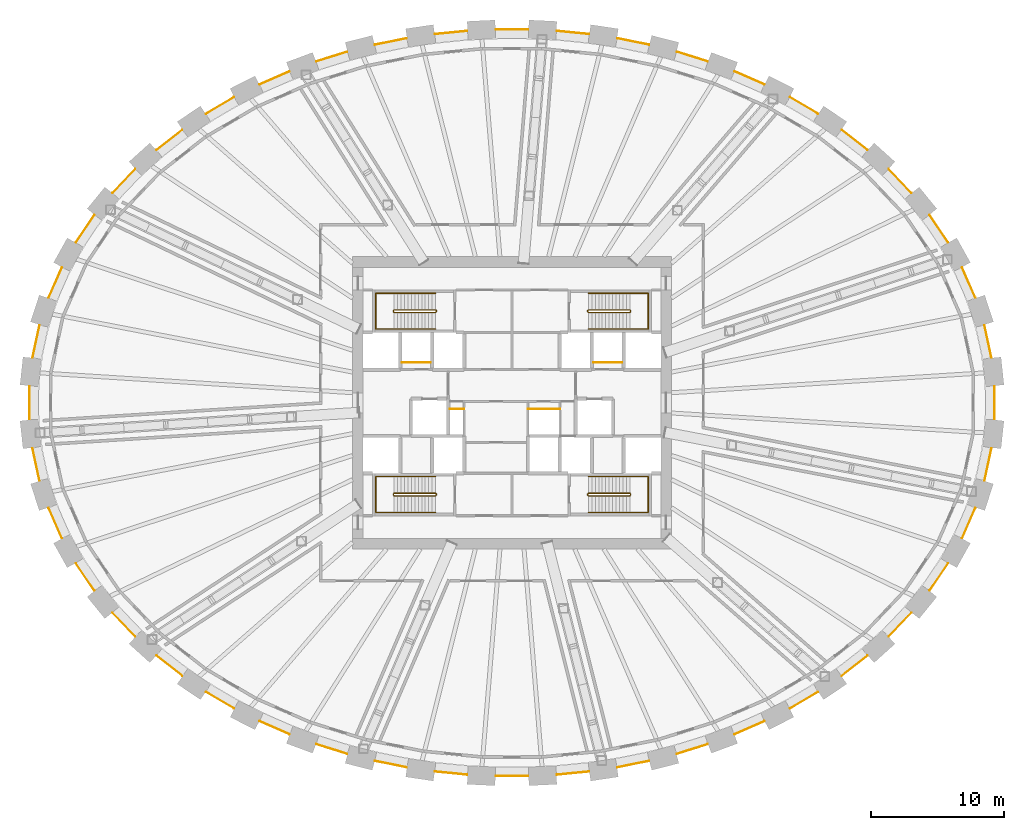
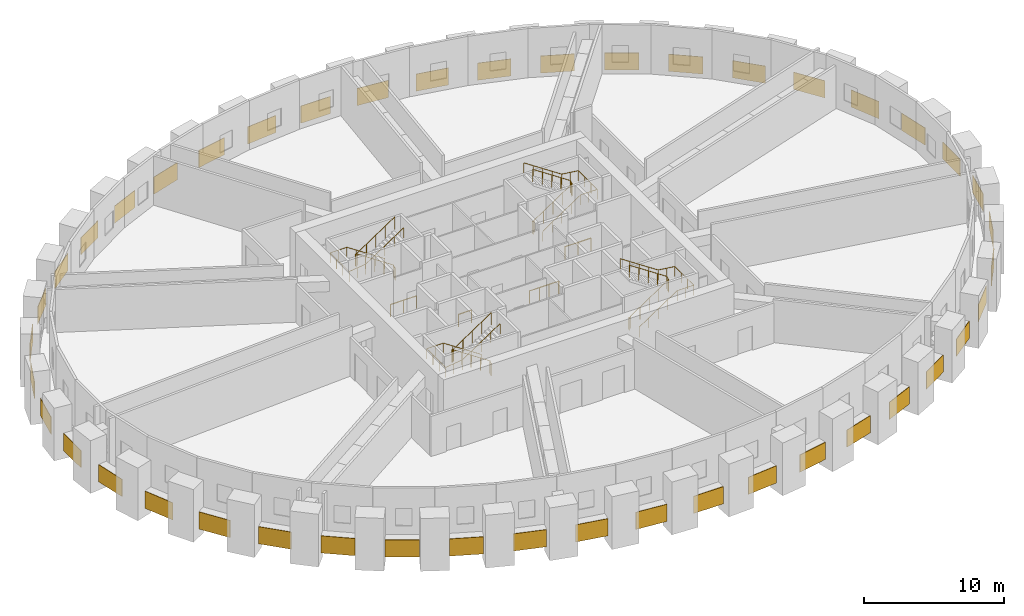
# One storey, part 13 of 13: 44 coverings, 12 railings.
"""IFC4 building model written with IfcOpenShell, lengths in metres."""

from ifc_helpers import new_model, si_unit, direction, frame, origin, origin_2d, place, context, subcontext, project, spatial, rectangle, circle, extrude, source, transform, mapped, material, layer, layer_set, type_object, element, save


model = new_model("IFC4")

# Units and contexts
model_context = context("Model", 3, precision=1e-05, world=origin(), true_north=direction((0.0, 1.0)))
body_context = subcontext(model_context, "Body", "Model", "MODEL_VIEW")
ifc_project = project(units=[si_unit("LENGTHUNIT", "METRE"), si_unit("AREAUNIT", "SQUARE_METRE"), si_unit("VOLUMEUNIT", "CUBIC_METRE"), si_unit("PLANEANGLEUNIT", "RADIAN"), si_unit("MASSUNIT", "GRAM", prefix="KILO")], contexts=[model_context])

# Site, building, storey
site_placement = place(None, origin())
site = spatial("IfcSite", under=ifc_project, at=site_placement, CompositionType="ELEMENT")
building_placement = place(site_placement, origin())
building = spatial("IfcBuilding", under=site, at=building_placement, Name="Embergate Tower", CompositionType="ELEMENT")
storey_placement = place(building_placement, frame((0.0, 0.0, 195.0)))
storey = spatial("IfcBuildingStorey", under=building, at=storey_placement, Name="L44", CompositionType="ELEMENT", Elevation=195.0)

# Coverings
ifc_material_1 = material(Name="Terracotta rainscreen on insulated backing", Category="masonry")
ifc_layer = layer(ifc_material_1, 0.0400390625)
ifc_layer_set = layer_set([ifc_layer], Name="Terracotta rainscreen on insulated backing")
covering_type = type_object("IfcCoveringType", Name="Terracotta rainscreen band", PredefinedType="CLADDING", material=ifc_layer_set)
shared_shape_1 = source(origin(), body_context, "Body", "SweptSolid", [
    extrude(rectangle(XDim=2.4873046875, YDim=0.0400390625, at=origin_2d()), origin(), (0.0, 0.0, 1.0), 1.5),
])
for number, where, z_axis, x_axis, name in (
    (1, (34.37353515625, 9.045654296875, -0.75), (0.0, 0.0, 1.0), (-0.40162013373, 0.915806348626, 0.0), "Rainscreen band 2"),
    (2, (-34.37353515625, 9.045654296875, -0.75), (0.0, 0.0, 1.0), (-0.40162013373, -0.915806348626, 0.0), "Rainscreen band 20"),
    (3, (-34.37353515625, -9.045654296875, -0.75), (0.0, 0.0, 1.0), (0.40162013373, -0.915806348626, 0.0), "Rainscreen band 24"),
    (4, (34.37353515625, -9.045654296875, -0.75), (0.0, 0.0, 1.0), (0.40162013373, 0.915806348626, 0.0), "Rainscreen band 42"),
):
    element("IfcCovering", number, at=place(storey_placement, frame(where, z_axis=z_axis, x_axis=x_axis)), inside=storey, type_object=covering_type, Name=name, PredefinedType="CLADDING", context=body_context, shape_type="MappedRepresentation", body=[
        mapped(shared_shape_1, transform((0.0, 0.0, 0.0))),
    ])
shared_shape_2 = source(origin(), body_context, "Body", "SweptSolid", [
    extrude(rectangle(XDim=2.495849609375, YDim=0.0400390625, at=origin_2d()), origin(), (0.0, 0.0, 1.0), 1.5),
])
for number, where, z_axis, x_axis, name in (
    (5, (35.82177734375, 4.628662109375, -0.75), (0.0, 0.0, 1.0), (-0.210350615608, 0.977626011578, 0.0), "Rainscreen band 1"),
    (6, (-35.82177734375, 4.628662109375, -0.75), (0.0, 0.0, 1.0), (-0.210350615608, -0.977626011578, 0.0), "Rainscreen band 21"),
    (7, (-35.82177734375, -4.628662109375, -0.75), (0.0, 0.0, 1.0), (0.210350615608, -0.977626011578, 0.0), "Rainscreen band 23"),
    (8, (35.82177734375, -4.628662109375, -0.75), (0.0, 0.0, 1.0), (0.210350615608, 0.977626011578, 0.0), "Rainscreen band 43"),
):
    element("IfcCovering", number, at=place(storey_placement, frame(where, z_axis=z_axis, x_axis=x_axis)), inside=storey, type_object=covering_type, Name=name, PredefinedType="CLADDING", context=body_context, shape_type="MappedRepresentation", body=[
        mapped(shared_shape_2, transform((0.0, 0.0, 0.0))),
    ])
shared_shape_3 = source(origin(), body_context, "Body", "SweptSolid", [
    extrude(rectangle(XDim=2.481689453125, YDim=0.0400390625, at=origin_2d()), origin(), (0.0, 0.0, 1.0), 1.5),
])
for number, where, z_axis, x_axis, name in (
    (9, (32.128173828125, 13.10400390625, -0.75), (0.0, 0.0, 1.0), (-0.562486055486, 0.826806771491, 0.0), "Rainscreen band 3"),
    (10, (-32.128173828125, 13.10400390625, -0.75), (0.0, 0.0, 1.0), (-0.562486055486, -0.826806771491, 0.0), "Rainscreen band 19"),
    (11, (-32.128173828125, -13.10400390625, -0.75), (0.0, 0.0, 1.0), (0.562486055486, -0.826806771491, 0.0), "Rainscreen band 25"),
    (12, (32.128173828125, -13.10400390625, -0.75), (0.0, 0.0, 1.0), (0.562486055486, 0.826806771491, 0.0), "Rainscreen band 41"),
):
    element("IfcCovering", number, at=place(storey_placement, frame(where, z_axis=z_axis, x_axis=x_axis)), inside=storey, type_object=covering_type, Name=name, PredefinedType="CLADDING", context=body_context, shape_type="MappedRepresentation", body=[
        mapped(shared_shape_3, transform((0.0, 0.0, 0.0))),
    ])
shared_shape_4 = source(origin(), body_context, "Body", "SweptSolid", [
    extrude(rectangle(XDim=2.474853515625, YDim=0.0400390625, at=origin_2d()), origin(), (0.0, 0.0, 1.0), 1.5),
])
for number, where, z_axis, x_axis, name in (
    (13, (29.205810546875, 16.690673828125, -0.75), (0.0, 0.0, 1.0), (-0.6901388367, 0.723676990154, 0.0), "Rainscreen band 4"),
    (14, (-29.205810546875, 16.690673828125, -0.75), (0.0, 0.0, 1.0), (-0.6901388367, -0.723676990154, 0.0), "Rainscreen band 18"),
    (15, (-29.205810546875, -16.690673828125, -0.75), (0.0, 0.0, 1.0), (0.6901388367, -0.723676990154, 0.0), "Rainscreen band 26"),
    (16, (29.205810546875, -16.690673828125, -0.75), (0.0, 0.0, 1.0), (0.6901388367, 0.723676990154, 0.0), "Rainscreen band 40"),
):
    element("IfcCovering", number, at=place(storey_placement, frame(where, z_axis=z_axis, x_axis=x_axis)), inside=storey, type_object=covering_type, Name=name, PredefinedType="CLADDING", context=body_context, shape_type="MappedRepresentation", body=[
        mapped(shared_shape_4, transform((0.0, 0.0, 0.0))),
    ])
shared_shape_5 = source(origin(), body_context, "Body", "SweptSolid", [
    extrude(rectangle(XDim=2.47021484375, YDim=0.0400390625, at=origin_2d()), origin(), (0.0, 0.0, 1.0), 1.5),
])
for number, where, z_axis, x_axis, name in (
    (17, (25.784912109375, 19.788818359375, -0.75), (0.0, 0.0, 1.0), (-0.788239574461, 0.615368485749, 0.0), "Rainscreen band 5"),
    (18, (-25.784912109375, 19.788818359375, -0.75), (0.0, 0.0, 1.0), (-0.788239574461, -0.615368485749, 0.0), "Rainscreen band 17"),
    (19, (-25.784912109375, -19.788818359375, -0.75), (0.0, 0.0, 1.0), (0.788239574461, -0.615368485749, 0.0), "Rainscreen band 27"),
    (20, (25.784912109375, -19.788818359375, -0.75), (0.0, 0.0, 1.0), (0.788239574461, 0.615368485749, 0.0), "Rainscreen band 39"),
):
    element("IfcCovering", number, at=place(storey_placement, frame(where, z_axis=z_axis, x_axis=x_axis)), inside=storey, type_object=covering_type, Name=name, PredefinedType="CLADDING", context=body_context, shape_type="MappedRepresentation", body=[
        mapped(shared_shape_5, transform((0.0, 0.0, 0.0))),
    ])
shared_shape_6 = source(origin(), body_context, "Body", "SweptSolid", [
    extrude(rectangle(XDim=2.464111328125, YDim=0.0400390625, at=origin_2d()), origin(), (0.0, 0.0, 1.0), 1.5),
])
for number, where, z_axis, x_axis, name in (
    (21, (21.974853515625, 22.3798828125, -0.75), (0.0, 0.0, 1.0), (-0.862007166932, 0.506896088126, 0.0), "Rainscreen band 6"),
    (22, (-21.974853515625, 22.3798828125, -0.75), (0.0, 0.0, 1.0), (-0.862007166932, -0.506896088126, 0.0), "Rainscreen band 16"),
    (23, (-21.974853515625, -22.3798828125, -0.75), (0.0, 0.0, 1.0), (0.862007166932, -0.506896088126, 0.0), "Rainscreen band 28"),
    (24, (21.974853515625, -22.3798828125, -0.75), (0.0, 0.0, 1.0), (0.862007166932, 0.506896088126, 0.0), "Rainscreen band 38"),
):
    element("IfcCovering", number, at=place(storey_placement, frame(where, z_axis=z_axis, x_axis=x_axis)), inside=storey, type_object=covering_type, Name=name, PredefinedType="CLADDING", context=body_context, shape_type="MappedRepresentation", body=[
        mapped(shared_shape_6, transform((0.0, 0.0, 0.0))),
    ])
shared_shape_7 = source(origin(), body_context, "Body", "SweptSolid", [
    extrude(rectangle(XDim=2.461181640625, YDim=0.0400390625, at=origin_2d()), origin(), (0.0, 0.0, 1.0), 1.5),
])
for number, where, z_axis, x_axis, name in (
    (25, (17.86865234375, 24.4521484375, -0.75), (0.0, 0.0, 1.0), (-0.916241106395, 0.400627301805, 0.0), "Rainscreen band 7"),
    (26, (-17.86865234375, 24.4521484375, -0.75), (0.0, 0.0, 1.0), (-0.916241106395, -0.400627301805, 0.0), "Rainscreen band 15"),
    (27, (-17.86865234375, -24.4521484375, -0.75), (0.0, 0.0, 1.0), (0.916241106395, -0.400627301805, 0.0), "Rainscreen band 29"),
    (28, (17.86865234375, -24.4521484375, -0.75), (0.0, 0.0, 1.0), (0.916241106395, 0.400627301805, 0.0), "Rainscreen band 37"),
):
    element("IfcCovering", number, at=place(storey_placement, frame(where, z_axis=z_axis, x_axis=x_axis)), inside=storey, type_object=covering_type, Name=name, PredefinedType="CLADDING", context=body_context, shape_type="MappedRepresentation", body=[
        mapped(shared_shape_7, transform((0.0, 0.0, 0.0))),
    ])
shared_shape_8 = source(origin(), body_context, "Body", "SweptSolid", [
    extrude(rectangle(XDim=2.458251953125, YDim=0.0400390625, at=origin_2d()), origin(), (0.0, 0.0, 1.0), 1.5),
])
for number, where, z_axis, x_axis, name in (
    (29, (13.565185546875, 26.057861328125, -0.75), (0.0, 0.0, 1.0), (-0.954761837531, 0.297371541332, 0.0), "Rainscreen band 8"),
    (30, (-13.565185546875, 26.057861328125, -0.75), (0.0, 0.0, 1.0), (-0.954761837531, -0.297371541332, 0.0), "Rainscreen band 14"),
    (31, (-13.565185546875, -26.057861328125, -0.75), (0.0, 0.0, 1.0), (0.954761837531, -0.297371541332, 0.0), "Rainscreen band 30"),
    (32, (13.565185546875, -26.057861328125, -0.75), (0.0, 0.0, 1.0), (0.954761837531, 0.297371541332, 0.0), "Rainscreen band 36"),
):
    element("IfcCovering", number, at=place(storey_placement, frame(where, z_axis=z_axis, x_axis=x_axis)), inside=storey, type_object=covering_type, Name=name, PredefinedType="CLADDING", context=body_context, shape_type="MappedRepresentation", body=[
        mapped(shared_shape_8, transform((0.0, 0.0, 0.0))),
    ])
shared_shape_9 = source(origin(), body_context, "Body", "SweptSolid", [
    extrude(rectangle(XDim=2.456787109375, YDim=0.0400390625, at=origin_2d()), origin(), (0.0, 0.0, 1.0), 1.5),
])
for number, where, z_axis, x_axis, name in (
    (33, (9.118408203125, 27.19287109375, -0.75), (0.0, 0.0, 1.0), (-0.980486545181, 0.19658620175, 0.0), "Rainscreen band 9"),
    (34, (-9.118408203125, 27.19287109375, -0.75), (0.0, 0.0, 1.0), (-0.980486545181, -0.19658620175, 0.0), "Rainscreen band 13"),
    (35, (-9.118408203125, -27.19287109375, -0.75), (0.0, 0.0, 1.0), (0.980486545181, -0.19658620175, 0.0), "Rainscreen band 31"),
    (36, (9.118408203125, -27.19287109375, -0.75), (0.0, 0.0, 1.0), (0.980486545181, 0.19658620175, 0.0), "Rainscreen band 35"),
):
    element("IfcCovering", number, at=place(storey_placement, frame(where, z_axis=z_axis, x_axis=x_axis)), inside=storey, type_object=covering_type, Name=name, PredefinedType="CLADDING", context=body_context, shape_type="MappedRepresentation", body=[
        mapped(shared_shape_9, transform((0.0, 0.0, 0.0))),
    ])
shared_shape_10 = source(origin(), body_context, "Body", "SweptSolid", [
    extrude(rectangle(XDim=2.455810546875, YDim=0.0400390625, at=origin_2d()), origin(), (0.0, 0.0, 1.0), 1.5),
])
for number, where, z_axis, x_axis, name in (
    (37, (4.580810546875, 27.869384765625, -0.75), (0.0, 0.0, 1.0), (-0.995213082886, 0.097728806667, 0.0), "Rainscreen band 10"),
    (38, (-4.580810546875, 27.869384765625, -0.75), (0.0, 0.0, 1.0), (-0.995213082886, -0.097728806667, 0.0), "Rainscreen band 12"),
    (39, (-4.580810546875, -27.869384765625, -0.75), (0.0, 0.0, 1.0), (0.995213082886, -0.097728806667, 0.0), "Rainscreen band 32"),
    (40, (4.580810546875, -27.869384765625, -0.75), (0.0, 0.0, 1.0), (0.995213082886, 0.097728806667, 0.0), "Rainscreen band 34"),
):
    element("IfcCovering", number, at=place(storey_placement, frame(where, z_axis=z_axis, x_axis=x_axis)), inside=storey, type_object=covering_type, Name=name, PredefinedType="CLADDING", context=body_context, shape_type="MappedRepresentation", body=[
        mapped(shared_shape_10, transform((0.0, 0.0, 0.0))),
    ])
shared_shape_11 = source(origin(), body_context, "Body", "SweptSolid", [
    extrude(rectangle(XDim=2.4541015625, YDim=0.0400390625, at=origin_2d()), origin(), (0.0, 0.0, 1.0), 1.5),
])
for number, where, z_axis, x_axis, name in (
    (41, (0.0, 28.093994140625, -0.75), (0.0, 0.0, 1.0), (-1.0, 0.0, 0.0), "Rainscreen band 11"),
    (42, (0.0, -28.093994140625, -0.75), (0.0, 0.0, 1.0), (1.0, 0.0, 0.0), "Rainscreen band 33"),
):
    element("IfcCovering", number, at=place(storey_placement, frame(where, z_axis=z_axis, x_axis=x_axis)), inside=storey, type_object=covering_type, Name=name, PredefinedType="CLADDING", context=body_context, shape_type="MappedRepresentation", body=[
        mapped(shared_shape_11, transform((0.0, 0.0, 0.0))),
    ])
shared_shape_12 = source(origin(), body_context, "Body", "SweptSolid", [
    extrude(rectangle(XDim=2.49609375, YDim=0.0400390625, at=origin_2d()), origin(), (0.0, 0.0, 1.0), 1.5),
])
for number, where, z_axis, x_axis, name in (
    (43, (-36.31396484375, 0.0, -0.75), (0.0, 0.0, 1.0), (0.0, -1.0, 0.0), "Rainscreen band 22"),
    (44, (36.31396484375, 0.0, -0.75), (0.0, 0.0, 1.0), (0.0, 1.0, 0.0), "Rainscreen band 44"),
):
    element("IfcCovering", number, at=place(storey_placement, frame(where, z_axis=z_axis, x_axis=x_axis)), inside=storey, type_object=covering_type, Name=name, PredefinedType="CLADDING", context=body_context, shape_type="MappedRepresentation", body=[
        mapped(shared_shape_12, transform((0.0, 0.0, 0.0))),
    ])

# Railings
ifc_material_2 = material(Name="Stair guard 1100")
railing_type_1 = type_object("IfcRailingType", Name="Stair guard 1100", PredefinedType="GUARDRAIL", material=ifc_material_2)
shared_shape_13 = source(origin(), body_context, "Body", "SweptSolid", [
    extrude(circle(Radius=0.02392578125, at=origin_2d()), frame((0.0, 0.0, 1.076171875), z_axis=(0.0, 1.0, 0.0), x_axis=(-1.0, 0.0, 0.0)), (0.0, 0.0, 1.0), 0.099853515625),
    extrude(circle(Radius=0.02392578125, at=origin_2d()), frame((0.0, 0.099853515625, 1.076171875), z_axis=(-0.267629722418, 0.267629722418, 0.925607186314), x_axis=(-0.707106781187, -0.707106781187, 0.0)), (0.0, 0.0, 1.0), 0.18701171875),
    extrude(circle(Radius=0.02392578125, at=origin_2d()), frame((-0.050048828125, 0.14990234375, 1.2490234375), z_axis=(-0.83244090515, 0.0, 0.554113832559), x_axis=(0.0, -1.0, 0.0)), (0.0, 0.0, 1.0), 3.748046875),
    extrude(circle(Radius=0.02392578125, at=origin_2d()), frame((-3.170166015625, 0.14990234375, 3.326171875), z_axis=(-0.705375805398, -0.708833529934, 0.0), x_axis=(0.708833529934, -0.705375805398, 0.0)), (0.0, 0.0, 1.0), 0.070556640625),
    extrude(circle(Radius=0.02392578125, at=origin_2d()), frame((-3.219970703125, 0.099853515625, 3.326171875), z_axis=(0.0, -1.0, 0.0), x_axis=(1.0, 0.0, 0.0)), (0.0, 0.0, 1.0), 0.099853515625),
    extrude(circle(Radius=0.02392578125, at=origin_2d()), frame((-3.219970703125, 0.0, 3.326171875), z_axis=(0.266417085129, -0.267723051232, 0.925929967433), x_axis=(0.708833529934, 0.705375805398, 0.0)), (0.0, 0.0, 1.0), 0.18701171875),
    extrude(circle(Radius=0.02392578125, at=origin_2d()), frame((-3.170166015625, -0.050048828125, 3.4990234375), z_axis=(0.83244090515, 0.0, 0.554113832559), x_axis=(0.0, 1.0, 0.0)), (0.0, 0.0, 1.0), 3.748046875),
    extrude(circle(Radius=0.02099609375, at=origin_2d()), origin(), (0.0, 0.0, 1.0), 1.052001953125),
    extrude(circle(Radius=0.02099609375, at=origin_2d()), frame((0.0, 0.099853515625, 0.0)), (0.0, 0.0, 1.0), 1.052001953125),
    extrude(circle(Radius=0.02099609375, at=origin_2d()), frame((-0.050048828125, 0.14990234375, 0.173095703125)), (0.0, 0.0, 1.0), 1.052001953125),
    extrude(circle(Radius=0.02099609375, at=origin_2d()), frame((-0.830078125, 0.14990234375, 0.6923828125)), (0.0, 0.0, 1.0), 1.052001953125),
    extrude(circle(Radius=0.02099609375, at=origin_2d()), frame((-1.610107421875, 0.14990234375, 1.21142578125)), (0.0, 0.0, 1.0), 1.052001953125),
    extrude(circle(Radius=0.02099609375, at=origin_2d()), frame((-2.39013671875, 0.14990234375, 1.730712890625)), (0.0, 0.0, 1.0), 1.052001953125),
    extrude(circle(Radius=0.02099609375, at=origin_2d()), frame((-3.170166015625, 0.14990234375, 2.25)), (0.0, 0.0, 1.0), 1.052001953125),
    extrude(circle(Radius=0.02099609375, at=origin_2d()), frame((-3.219970703125, 0.099853515625, 2.25)), (0.0, 0.0, 1.0), 1.052001953125),
    extrude(circle(Radius=0.02099609375, at=origin_2d()), frame((-3.219970703125, 0.0, 2.25)), (0.0, 0.0, 1.0), 1.052001953125),
    extrude(circle(Radius=0.02099609375, at=origin_2d()), frame((-3.170166015625, -0.050048828125, 2.423095703125)), (0.0, 0.0, 1.0), 1.052001953125),
    extrude(circle(Radius=0.02099609375, at=origin_2d()), frame((-2.39013671875, -0.050048828125, 2.9423828125)), (0.0, 0.0, 1.0), 1.052001953125),
    extrude(circle(Radius=0.02099609375, at=origin_2d()), frame((-1.610107421875, -0.050048828125, 3.46142578125)), (0.0, 0.0, 1.0), 1.052001953125),
    extrude(circle(Radius=0.02099609375, at=origin_2d()), frame((-0.830078125, -0.050048828125, 3.980712890625)), (0.0, 0.0, 1.0), 1.052001953125),
    extrude(circle(Radius=0.02099609375, at=origin_2d()), frame((-0.050048828125, -0.050048828125, 4.5)), (0.0, 0.0, 1.0), 1.052001953125),
])
for number, where, name in (
    (45, (-5.699951171875, 6.85009765625, 0.0), "L44 ST1 stair guard 1"),
    (46, (-5.699951171875, -6.949951171875, 0.0), "L44 ST3 stair guard 1"),
):
    element("IfcRailing", number, at=place(storey_placement, frame(where)), inside=storey, type_object=railing_type_1, Name=name, PredefinedType="GUARDRAIL", context=body_context, shape_type="MappedRepresentation", body=[
        mapped(shared_shape_13, transform((0.0, 0.0, 0.0))),
    ])
ifc_material_3 = material(Name="Stair handrail 900")
railing_type_2 = type_object("IfcRailingType", Name="Stair handrail 900", PredefinedType="HANDRAIL", material=ifc_material_3)
shared_shape_14 = source(origin(), body_context, "Body", "SweptSolid", [
    extrude(circle(Radius=0.02392578125, at=origin_2d()), frame((0.0, 0.0, 0.8759765625), z_axis=(-0.83244090515, 0.0, 0.554113832559), x_axis=(0.0, -1.0, 0.0)), (0.0, 0.0, 1.0), 3.748046875),
    extrude(circle(Radius=0.02392578125, at=origin_2d()), frame((-3.1201171875, 0.0, 2.95263671875), z_axis=(-1.0, 0.0, 0.0), x_axis=(0.0, -1.0, 0.0)), (0.0, 0.0, 1.0), 1.3798828125),
    extrude(circle(Radius=0.02392578125, at=origin_2d()), frame((-4.5, 0.0, 2.95263671875), z_axis=(0.0, -1.0, 0.0), x_axis=(1.0, 0.0, 0.0)), (0.0, 0.0, 1.0), 2.699951171875),
    extrude(circle(Radius=0.02392578125, at=origin_2d()), frame((-4.5, -2.699951171875, 2.95263671875), z_axis=(0.992223766409, 0.0, 0.12446685251), x_axis=(0.0, 1.0, 0.0)), (0.0, 0.0, 1.0), 1.390625),
    extrude(circle(Radius=0.02392578125, at=origin_2d()), frame((-3.1201171875, -2.699951171875, 3.1259765625), z_axis=(0.83244090515, 0.0, 0.554113832559), x_axis=(0.0, 1.0, 0.0)), (0.0, 0.0, 1.0), 3.748046875),
    extrude(circle(Radius=0.02099609375, at=origin_2d()), origin(), (0.0, 0.0, 1.0), 0.851806640625),
    extrude(circle(Radius=0.02099609375, at=origin_2d()), frame((-0.780029296875, 0.0, 0.519287109375)), (0.0, 0.0, 1.0), 0.851806640625),
    extrude(circle(Radius=0.02099609375, at=origin_2d()), frame((-1.56005859375, 0.0, 1.03857421875)), (0.0, 0.0, 1.0), 0.851806640625),
    extrude(circle(Radius=0.02099609375, at=origin_2d()), frame((-2.340087890625, 0.0, 1.5576171875)), (0.0, 0.0, 1.0), 0.851806640625),
    extrude(circle(Radius=0.02099609375, at=origin_2d()), frame((-3.1201171875, 0.0, 2.076904296875)), (0.0, 0.0, 1.0), 0.851806640625),
    extrude(circle(Radius=0.02099609375, at=origin_2d()), frame((-3.81005859375, 0.0, 2.076904296875)), (0.0, 0.0, 1.0), 0.851806640625),
    extrude(circle(Radius=0.02099609375, at=origin_2d()), frame((-4.5, 0.0, 2.076904296875)), (0.0, 0.0, 1.0), 0.851806640625),
    extrude(circle(Radius=0.02099609375, at=origin_2d()), frame((-4.5, -0.89990234375, 2.076904296875)), (0.0, 0.0, 1.0), 0.851806640625),
    extrude(circle(Radius=0.02099609375, at=origin_2d()), frame((-4.5, -1.800048828125, 2.076904296875)), (0.0, 0.0, 1.0), 0.851806640625),
    extrude(circle(Radius=0.02099609375, at=origin_2d()), frame((-4.5, -2.699951171875, 2.076904296875)), (0.0, 0.0, 1.0), 0.851806640625),
    extrude(circle(Radius=0.02099609375, at=origin_2d()), frame((-3.81005859375, -2.699951171875, 2.16357421875)), (0.0, 0.0, 1.0), 0.851806640625),
    extrude(circle(Radius=0.02099609375, at=origin_2d()), frame((-3.1201171875, -2.699951171875, 2.25)), (0.0, 0.0, 1.0), 0.851806640625),
    extrude(circle(Radius=0.02099609375, at=origin_2d()), frame((-2.340087890625, -2.699951171875, 2.769287109375)), (0.0, 0.0, 1.0), 0.851806640625),
    extrude(circle(Radius=0.02099609375, at=origin_2d()), frame((-1.56005859375, -2.699951171875, 3.28857421875)), (0.0, 0.0, 1.0), 0.851806640625),
    extrude(circle(Radius=0.02099609375, at=origin_2d()), frame((-0.780029296875, -2.699951171875, 3.8076171875)), (0.0, 0.0, 1.0), 0.851806640625),
    extrude(circle(Radius=0.02099609375, at=origin_2d()), frame((0.0, -2.699951171875, 4.326904296875)), (0.0, 0.0, 1.0), 0.851806640625),
])
for number, where, name in (
    (47, (-5.75, 8.25, 0.173095703125), "L44 ST1 stair handrail 1"),
    (48, (-5.75, -5.550048828125, 0.173095703125), "L44 ST3 stair handrail 1"),
):
    element("IfcRailing", number, at=place(storey_placement, frame(where)), inside=storey, type_object=railing_type_2, Name=name, PredefinedType="HANDRAIL", context=body_context, shape_type="MappedRepresentation", body=[
        mapped(shared_shape_14, transform((0.0, 0.0, 0.0))),
    ])
shared_shape_15 = source(origin(), body_context, "Body", "SweptSolid", [
    extrude(circle(Radius=0.02392578125, at=origin_2d()), frame((0.0, 0.0, 1.076171875), z_axis=(0.0, -1.0, 0.0), x_axis=(1.0, 0.0, 0.0)), (0.0, 0.0, 1.0), 0.099853515625),
    extrude(circle(Radius=0.02392578125, at=origin_2d()), frame((0.0, -0.099853515625, 1.076171875), z_axis=(0.267629722418, -0.267629722418, 0.925607186314), x_axis=(0.707106781187, 0.707106781187, 0.0)), (0.0, 0.0, 1.0), 0.18701171875),
    extrude(circle(Radius=0.02392578125, at=origin_2d()), frame((0.050048828125, -0.14990234375, 1.2490234375), z_axis=(0.83244090515, 0.0, 0.554113832559), x_axis=(0.0, 1.0, 0.0)), (0.0, 0.0, 1.0), 3.748046875),
    extrude(circle(Radius=0.02392578125, at=origin_2d()), frame((3.170166015625, -0.14990234375, 3.326171875), z_axis=(0.705375805398, 0.708833529934, 0.0), x_axis=(-0.708833529934, 0.705375805398, 0.0)), (0.0, 0.0, 1.0), 0.070556640625),
    extrude(circle(Radius=0.02392578125, at=origin_2d()), frame((3.219970703125, -0.099853515625, 3.326171875), z_axis=(0.0, 1.0, 0.0), x_axis=(-1.0, 0.0, 0.0)), (0.0, 0.0, 1.0), 0.099853515625),
    extrude(circle(Radius=0.02392578125, at=origin_2d()), frame((3.219970703125, 0.0, 3.326171875), z_axis=(-0.266417085129, 0.267723051232, 0.925929967433), x_axis=(-0.708833529934, -0.705375805398, 0.0)), (0.0, 0.0, 1.0), 0.18701171875),
    extrude(circle(Radius=0.02392578125, at=origin_2d()), frame((3.170166015625, 0.050048828125, 3.4990234375), z_axis=(-0.83244090515, 0.0, 0.554113832559), x_axis=(0.0, -1.0, 0.0)), (0.0, 0.0, 1.0), 3.748046875),
    extrude(circle(Radius=0.02099609375, at=origin_2d()), origin(), (0.0, 0.0, 1.0), 1.052001953125),
    extrude(circle(Radius=0.02099609375, at=origin_2d()), frame((0.0, -0.099853515625, 0.0)), (0.0, 0.0, 1.0), 1.052001953125),
    extrude(circle(Radius=0.02099609375, at=origin_2d()), frame((0.050048828125, -0.14990234375, 0.173095703125)), (0.0, 0.0, 1.0), 1.052001953125),
    extrude(circle(Radius=0.02099609375, at=origin_2d()), frame((0.830078125, -0.14990234375, 0.6923828125)), (0.0, 0.0, 1.0), 1.052001953125),
    extrude(circle(Radius=0.02099609375, at=origin_2d()), frame((1.610107421875, -0.14990234375, 1.21142578125)), (0.0, 0.0, 1.0), 1.052001953125),
    extrude(circle(Radius=0.02099609375, at=origin_2d()), frame((2.39013671875, -0.14990234375, 1.730712890625)), (0.0, 0.0, 1.0), 1.052001953125),
    extrude(circle(Radius=0.02099609375, at=origin_2d()), frame((3.170166015625, -0.14990234375, 2.25)), (0.0, 0.0, 1.0), 1.052001953125),
    extrude(circle(Radius=0.02099609375, at=origin_2d()), frame((3.219970703125, -0.099853515625, 2.25)), (0.0, 0.0, 1.0), 1.052001953125),
    extrude(circle(Radius=0.02099609375, at=origin_2d()), frame((3.219970703125, 0.0, 2.25)), (0.0, 0.0, 1.0), 1.052001953125),
    extrude(circle(Radius=0.02099609375, at=origin_2d()), frame((3.170166015625, 0.050048828125, 2.423095703125)), (0.0, 0.0, 1.0), 1.052001953125),
    extrude(circle(Radius=0.02099609375, at=origin_2d()), frame((2.39013671875, 0.050048828125, 2.9423828125)), (0.0, 0.0, 1.0), 1.052001953125),
    extrude(circle(Radius=0.02099609375, at=origin_2d()), frame((1.610107421875, 0.050048828125, 3.46142578125)), (0.0, 0.0, 1.0), 1.052001953125),
    extrude(circle(Radius=0.02099609375, at=origin_2d()), frame((0.830078125, 0.050048828125, 3.980712890625)), (0.0, 0.0, 1.0), 1.052001953125),
    extrude(circle(Radius=0.02099609375, at=origin_2d()), frame((0.050048828125, 0.050048828125, 4.5)), (0.0, 0.0, 1.0), 1.052001953125),
])
for number, where, name in (
    (49, (5.699951171875, 6.949951171875, 0.0), "L44 ST2 stair guard 1"),
    (50, (5.699951171875, -6.85009765625, 0.0), "L44 ST4 stair guard 1"),
):
    element("IfcRailing", number, at=place(storey_placement, frame(where)), inside=storey, type_object=railing_type_1, Name=name, PredefinedType="GUARDRAIL", context=body_context, shape_type="MappedRepresentation", body=[
        mapped(shared_shape_15, transform((0.0, 0.0, 0.0))),
    ])
shared_shape_16 = source(origin(), body_context, "Body", "SweptSolid", [
    extrude(circle(Radius=0.02392578125, at=origin_2d()), frame((0.0, 0.0, 0.8759765625), z_axis=(0.83244090515, 0.0, 0.554113832559), x_axis=(0.0, 1.0, 0.0)), (0.0, 0.0, 1.0), 3.748046875),
    extrude(circle(Radius=0.02392578125, at=origin_2d()), frame((3.1201171875, 0.0, 2.95263671875), z_axis=(1.0, 0.0, 0.0), x_axis=(0.0, 1.0, 0.0)), (0.0, 0.0, 1.0), 1.3798828125),
    extrude(circle(Radius=0.02392578125, at=origin_2d()), frame((4.5, 0.0, 2.95263671875), z_axis=(0.0, 1.0, 0.0), x_axis=(-1.0, 0.0, 0.0)), (0.0, 0.0, 1.0), 2.699951171875),
    extrude(circle(Radius=0.02392578125, at=origin_2d()), frame((4.5, 2.699951171875, 2.95263671875), z_axis=(-0.992223766409, 0.0, 0.12446685251), x_axis=(0.0, -1.0, 0.0)), (0.0, 0.0, 1.0), 1.390625),
    extrude(circle(Radius=0.02392578125, at=origin_2d()), frame((3.1201171875, 2.699951171875, 3.1259765625), z_axis=(-0.83244090515, 0.0, 0.554113832559), x_axis=(0.0, -1.0, 0.0)), (0.0, 0.0, 1.0), 3.748046875),
    extrude(circle(Radius=0.02099609375, at=origin_2d()), origin(), (0.0, 0.0, 1.0), 0.851806640625),
    extrude(circle(Radius=0.02099609375, at=origin_2d()), frame((0.780029296875, 0.0, 0.519287109375)), (0.0, 0.0, 1.0), 0.851806640625),
    extrude(circle(Radius=0.02099609375, at=origin_2d()), frame((1.56005859375, 0.0, 1.03857421875)), (0.0, 0.0, 1.0), 0.851806640625),
    extrude(circle(Radius=0.02099609375, at=origin_2d()), frame((2.340087890625, 0.0, 1.5576171875)), (0.0, 0.0, 1.0), 0.851806640625),
    extrude(circle(Radius=0.02099609375, at=origin_2d()), frame((3.1201171875, 0.0, 2.076904296875)), (0.0, 0.0, 1.0), 0.851806640625),
    extrude(circle(Radius=0.02099609375, at=origin_2d()), frame((3.81005859375, 0.0, 2.076904296875)), (0.0, 0.0, 1.0), 0.851806640625),
    extrude(circle(Radius=0.02099609375, at=origin_2d()), frame((4.5, 0.0, 2.076904296875)), (0.0, 0.0, 1.0), 0.851806640625),
    extrude(circle(Radius=0.02099609375, at=origin_2d()), frame((4.5, 0.89990234375, 2.076904296875)), (0.0, 0.0, 1.0), 0.851806640625),
    extrude(circle(Radius=0.02099609375, at=origin_2d()), frame((4.5, 1.800048828125, 2.076904296875)), (0.0, 0.0, 1.0), 0.851806640625),
    extrude(circle(Radius=0.02099609375, at=origin_2d()), frame((4.5, 2.699951171875, 2.076904296875)), (0.0, 0.0, 1.0), 0.851806640625),
    extrude(circle(Radius=0.02099609375, at=origin_2d()), frame((3.81005859375, 2.699951171875, 2.16357421875)), (0.0, 0.0, 1.0), 0.851806640625),
    extrude(circle(Radius=0.02099609375, at=origin_2d()), frame((3.1201171875, 2.699951171875, 2.25)), (0.0, 0.0, 1.0), 0.851806640625),
    extrude(circle(Radius=0.02099609375, at=origin_2d()), frame((2.340087890625, 2.699951171875, 2.769287109375)), (0.0, 0.0, 1.0), 0.851806640625),
    extrude(circle(Radius=0.02099609375, at=origin_2d()), frame((1.56005859375, 2.699951171875, 3.28857421875)), (0.0, 0.0, 1.0), 0.851806640625),
    extrude(circle(Radius=0.02099609375, at=origin_2d()), frame((0.780029296875, 2.699951171875, 3.8076171875)), (0.0, 0.0, 1.0), 0.851806640625),
    extrude(circle(Radius=0.02099609375, at=origin_2d()), frame((0.0, 2.699951171875, 4.326904296875)), (0.0, 0.0, 1.0), 0.851806640625),
])
for number, where, name in (
    (51, (5.75, 5.550048828125, 0.173095703125), "L44 ST2 stair handrail 1"),
    (52, (5.75, -8.25, 0.173095703125), "L44 ST4 stair handrail 1"),
):
    element("IfcRailing", number, at=place(storey_placement, frame(where)), inside=storey, type_object=railing_type_2, Name=name, PredefinedType="HANDRAIL", context=body_context, shape_type="MappedRepresentation", body=[
        mapped(shared_shape_16, transform((0.0, 0.0, 0.0))),
    ])
ifc_material_4 = material(Name="Opening guard 1100")
railing_type_3 = type_object("IfcRailingType", Name="Opening guard 1100", PredefinedType="GUARDRAIL", material=ifc_material_4)
shared_shape_17 = source(origin(), body_context, "Body", "SweptSolid", [
    extrude(circle(Radius=0.02392578125, at=origin_2d()), frame((0.0, 0.0, 1.076171875), z_axis=(1.0, 0.0, 0.0), x_axis=(0.0, 1.0, 0.0)), (0.0, 0.0, 1.0), 2.14990234375),
    extrude(circle(Radius=0.02099609375, at=origin_2d()), origin(), (0.0, 0.0, 1.0), 1.052001953125),
    extrude(circle(Radius=0.02099609375, at=origin_2d()), frame((1.074951171875, 0.0, 0.0)), (0.0, 0.0, 1.0), 1.052001953125),
    extrude(circle(Radius=0.02099609375, at=origin_2d()), frame((2.14990234375, 0.0, 0.0)), (0.0, 0.0, 1.0), 1.052001953125),
])
for number, where, name in (
    (53, (-8.27490234375, 3.050048828125, 0.0), "Riser opening guard"),
    (54, (6.125, 3.050048828125, 0.0), "Riser opening guard"),
):
    element("IfcRailing", number, at=place(storey_placement, frame(where)), inside=storey, type_object=railing_type_3, Name=name, PredefinedType="GUARDRAIL", context=body_context, shape_type="MappedRepresentation", body=[
        mapped(shared_shape_17, transform((0.0, 0.0, 0.0))),
    ])
shared_shape_18 = source(origin(), body_context, "Body", "SweptSolid", [
    extrude(circle(Radius=0.02392578125, at=origin_2d()), frame((0.0, 0.0, 1.076171875), z_axis=(1.0, 0.0, 0.0), x_axis=(0.0, 1.0, 0.0)), (0.0, 0.0, 1.0), 1.074951171875),
    extrude(circle(Radius=0.02099609375, at=origin_2d()), origin(), (0.0, 0.0, 1.0), 1.052001953125),
    extrude(circle(Radius=0.02099609375, at=origin_2d()), frame((1.074951171875, 0.0, 0.0)), (0.0, 0.0, 1.0), 1.052001953125),
])
railing_1_placement = place(storey_placement, frame((-4.675048828125, -0.449951171875, 0.0)))
element("IfcRailing", 55, at=railing_1_placement, inside=storey, type_object=railing_type_3, Name="Riser opening guard", PredefinedType="GUARDRAIL", context=body_context, shape_type="MappedRepresentation", body=[
    mapped(shared_shape_18, transform((0.0, 0.0, 0.0))),
])
shared_shape_19 = source(origin(), body_context, "Body", "SweptSolid", [
    extrude(circle(Radius=0.02392578125, at=origin_2d()), frame((0.0, 0.0, 1.076171875), z_axis=(1.0, 0.0, 0.0), x_axis=(0.0, 1.0, 0.0)), (0.0, 0.0, 1.0), 2.400146484375),
    extrude(circle(Radius=0.02099609375, at=origin_2d()), origin(), (0.0, 0.0, 1.0), 1.052001953125),
    extrude(circle(Radius=0.02099609375, at=origin_2d()), frame((0.800048828125, 0.0, 0.0)), (0.0, 0.0, 1.0), 1.052001953125),
    extrude(circle(Radius=0.02099609375, at=origin_2d()), frame((1.60009765625, 0.0, 0.0)), (0.0, 0.0, 1.0), 1.052001953125),
    extrude(circle(Radius=0.02099609375, at=origin_2d()), frame((2.400146484375, 0.0, 0.0)), (0.0, 0.0, 1.0), 1.052001953125),
])
railing_2_placement = place(storey_placement, frame((1.199951171875, -0.449951171875, 0.0)))
element("IfcRailing", 56, at=railing_2_placement, inside=storey, type_object=railing_type_3, Name="Riser opening guard", PredefinedType="GUARDRAIL", context=body_context, shape_type="MappedRepresentation", body=[
    mapped(shared_shape_19, transform((0.0, 0.0, 0.0))),
])

save(model, "model.ifc")
